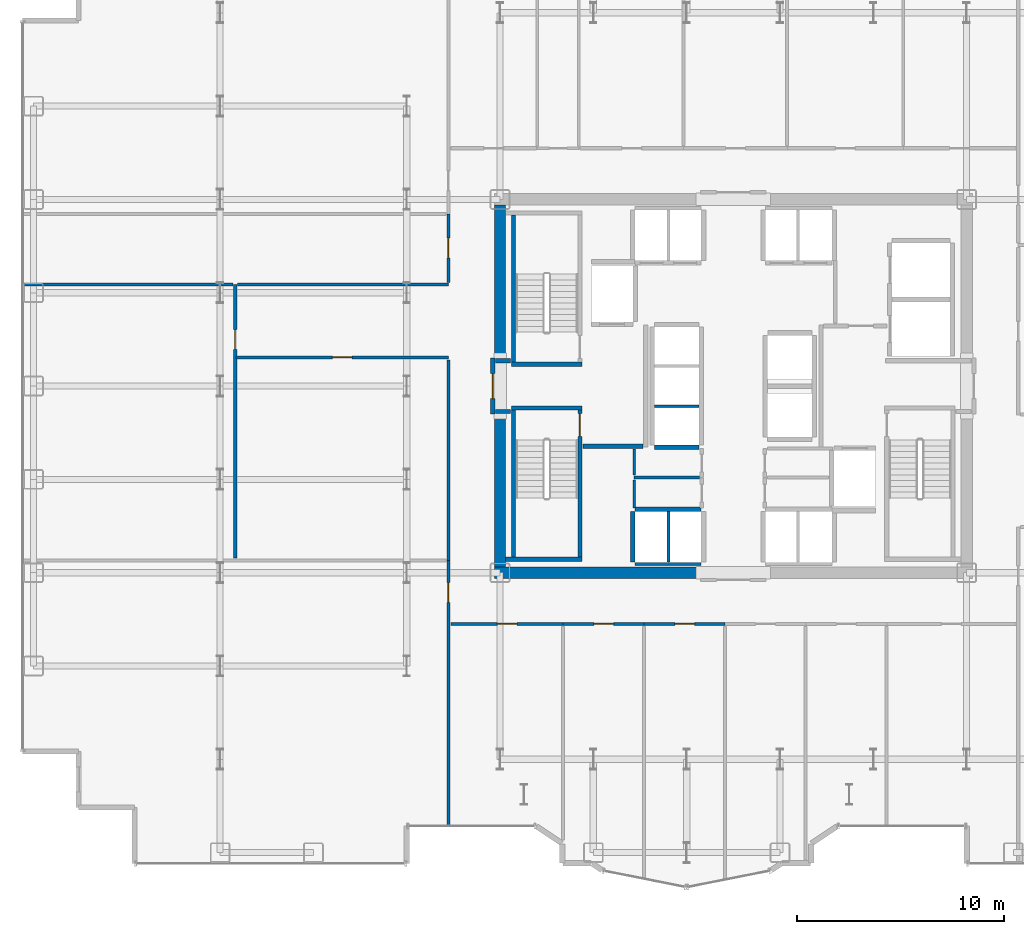
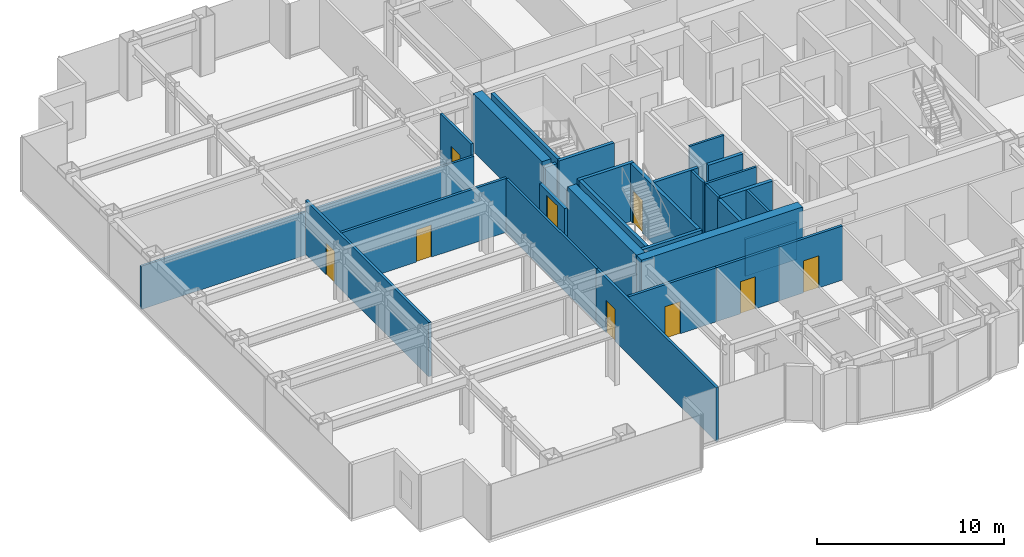
# One storey, part 20 of 26: 32 walls, 9 doors, 9 openings.
"""IFC4 building model written with IfcOpenShell, lengths in metres."""

from ifc_helpers import new_model, si_unit, direction, frame, frame_2d, origin, place, context, subcontext, project, spatial, rectangle, extrude, source, transform, mapped, material, layer, layer_set, type_object, element, fill, save


model = new_model("IFC4")

# Units and contexts
model_context = context("Model", 3, precision=1e-05, world=origin(), true_north=direction((0.0, 1.0)))
body_context = subcontext(model_context, "Body", "Model", "MODEL_VIEW")
ifc_project = project(units=[si_unit("LENGTHUNIT", "METRE"), si_unit("AREAUNIT", "SQUARE_METRE"), si_unit("VOLUMEUNIT", "CUBIC_METRE"), si_unit("PLANEANGLEUNIT", "RADIAN"), si_unit("MASSUNIT", "GRAM", prefix="KILO")], contexts=[model_context])

# Site, building, storey
site_placement = place(None, origin())
site = spatial("IfcSite", under=ifc_project, at=site_placement, CompositionType="ELEMENT")
building_placement = place(site_placement, origin())
building = spatial("IfcBuilding", under=site, at=building_placement, Name="Nefas-Gora Pilgrimage Tower", CompositionType="ELEMENT")
storey_placement = place(building_placement, frame((0.0, 0.0, 94.60009765625)))
storey = spatial("IfcBuildingStorey", under=building, at=storey_placement, Name="L22", CompositionType="ELEMENT", Elevation=94.60009765625)

# Walls
ifc_material_1 = material(Name="Concrete C60/75", Category="concrete")
ifc_layer_1 = layer(ifc_material_1, 0.550048828125)
ifc_layer_set_1 = layer_set([ifc_layer_1], Name="Concrete C60/75")
wall_type_1 = type_object("IfcWallType", Name="SW-CORE-550", PredefinedType="SHEAR", material=ifc_layer_set_1)
shared_shape_1 = source(origin(), body_context, "Body", "SweptSolid", [
    extrude(rectangle(XDim=9.974853515625, YDim=0.550048828125, at=frame_2d((4.9873046875, 0.0))), origin(), (0.0, 0.0, 1.0), 3.7998046875),
])
wall_1_placement = place(storey_placement, frame((-11.52490234375, -9.0, 0.0), z_axis=(0.0, 0.0, 1.0), x_axis=(1.0, 0.0, 0.0)))
element("IfcWall", 1, at=wall_1_placement, inside=storey, type_object=wall_type_1, Name="L22 Core Shear Wall S-West", PredefinedType="SHEAR", context=body_context, shape_type="MappedRepresentation", body=[
    mapped(shared_shape_1, transform((0.0, 0.0, 0.0), x_axis=(1.0, 0.0, 0.0), y_axis=(0.0, 1.0, 0.0), z_axis=(0.0, 0.0, 1.0), scale=1.0)),
])
shared_shape_2 = source(origin(), body_context, "Body", "SweptSolid", [
    extrude(rectangle(XDim=7.375, YDim=0.550048828125, at=frame_2d((3.6875, 0.0))), origin(), (0.0, 0.0, 1.0), 3.7998046875),
])
for number, where, z_axis, x_axis, name in (
    (2, (-11.25, -8.72509765625, 0.0), (0.0, 0.0, 1.0), (0.0, 1.0, 0.0), "L22 Core Shear Wall W-South"),
    (3, (-11.25, 1.35009765625, 0.0), (0.0, 0.0, 1.0), (0.0, 1.0, 0.0), "L22 Core Shear Wall W-North"),
):
    element("IfcWall", number, at=place(storey_placement, frame(where, z_axis=z_axis, x_axis=x_axis)), inside=storey, type_object=wall_type_1, Name=name, PredefinedType="SHEAR", context=body_context, shape_type="MappedRepresentation", body=[
        mapped(shared_shape_2, transform((0.0, 0.0, 0.0), x_axis=(1.0, 0.0, 0.0), y_axis=(0.0, 1.0, 0.0), z_axis=(0.0, 0.0, 1.0), scale=1.0)),
    ])
ifc_material_2 = material(Name="Concrete C45/55", Category="concrete")
ifc_layer_2 = layer(ifc_material_2, 0.199951171875)
ifc_layer_set_2 = layer_set([ifc_layer_2], Name="Concrete C45/55")
wall_type_2 = type_object("IfcWallType", Name="IW-STAIR-200", PredefinedType="SOLIDWALL", material=ifc_layer_set_2)
shared_shape_3 = source(origin(), body_context, "Body", "SweptSolid", [
    extrude(rectangle(XDim=3.39990234375, YDim=0.199951171875, at=frame_2d((1.699951171875, 0.0))), origin(), (0.0, 0.0, 1.0), 3.7998046875),
])
for number, where, z_axis, x_axis, name in (
    (4, (-7.300048828125, 1.050048828125, 0.0), (0.0, 0.0, 1.0), (-1.0, 0.0, 0.0), "L22 Stairwell Shear Wall ST-01-near"),
    (5, (-10.699951171875, -1.050048828125, 0.0), (0.0, 0.0, 1.0), (1.0, 0.0, 0.0), "L22 Stairwell Shear Wall ST-03-near"),
):
    element("IfcWall", number, at=place(storey_placement, frame(where, z_axis=z_axis, x_axis=x_axis)), inside=storey, type_object=wall_type_2, Name=name, PredefinedType="SOLIDWALL", context=body_context, shape_type="MappedRepresentation", body=[
        mapped(shared_shape_3, transform((0.0, 0.0, 0.0), x_axis=(1.0, 0.0, 0.0), y_axis=(0.0, 1.0, 0.0), z_axis=(0.0, 0.0, 1.0), scale=1.0)),
    ])
shared_shape_4 = source(origin(), body_context, "Body", "SweptSolid", [
    extrude(rectangle(XDim=7.10009765625, YDim=0.199951171875, at=frame_2d((3.550048828125, 0.0))), origin(), (0.0, 0.0, 1.0), 3.7998046875),
])
for number, where, z_axis, x_axis, name in (
    (6, (-10.60009765625, 1.14990234375, 0.0), (0.0, 0.0, 1.0), (0.0, 1.0, 0.0), "L22 Stairwell Shear Wall ST-01-right"),
    (7, (-10.60009765625, -1.14990234375, 0.0), (0.0, 0.0, 1.0), (0.0, -1.0, 0.0), "L22 Stairwell Shear Wall ST-03-left"),
):
    element("IfcWall", number, at=place(storey_placement, frame(where, z_axis=z_axis, x_axis=x_axis)), inside=storey, type_object=wall_type_2, Name=name, PredefinedType="SOLIDWALL", context=body_context, shape_type="MappedRepresentation", body=[
        mapped(shared_shape_4, transform((0.0, 0.0, 0.0), x_axis=(1.0, 0.0, 0.0), y_axis=(0.0, 1.0, 0.0), z_axis=(0.0, 0.0, 1.0), scale=1.0)),
    ])

# Wall, opening, door
wall_2_placement = place(storey_placement, frame((-7.39990234375, -1.14990234375, 0.0), z_axis=(0.0, 0.0, 1.0), x_axis=(0.0, -1.0, 0.0)))
wall_2 = element("IfcWall", 8, at=wall_2_placement, inside=storey, type_object=wall_type_2, Name="L22 Stairwell Shear Wall ST-03-right", PredefinedType="SOLIDWALL", context=body_context, shape_type="MappedRepresentation", body=[
    mapped(shared_shape_4, transform((0.0, 0.0, 0.0), x_axis=(1.0, 0.0, 0.0), y_axis=(0.0, 1.0, 0.0), z_axis=(0.0, 0.0, 1.0), scale=1.0)),
])
opening_1_placement = place(wall_2_placement, frame((0.179931640625, 0.0, 0.0)))
opening_1 = element("IfcOpeningElement", 9, at=opening_1_placement, cuts=wall_2, Name="Opening ID-ST1", PredefinedType="OPENING", context=body_context, shape_type="SweptSolid", body=[
    extrude(rectangle(XDim=1.10009765625, YDim=2.14990234375, at=frame_2d((0.550048828125, 1.074951171875))), frame((0.0, 0.10986328125, 0.0), z_axis=(0.0, -1.0, 0.0), x_axis=(1.0, 0.0, 0.0)), (0.0, 0.0, 1.0), 0.219970703125),
])
ifc_material_3 = material(Name="Painted galvanised steel fire stair door", Category="steel")
door_type_1 = type_object("IfcDoorType", Name="DR-INT-STAIR-1100", OperationType="NOTDEFINED", PredefinedType="DOOR", material=ifc_material_3)
shared_shape_5 = source(origin(), body_context, "Body", "SweptSolid", [
    extrude(rectangle(XDim=1.10009765625, YDim=2.14990234375, at=frame_2d((0.550048828125, 1.074951171875))), frame((0.0, 0.02490234375, 0.0), z_axis=(0.0, -1.0, 0.0), x_axis=(1.0, 0.0, 0.0)), (0.0, 0.0, 1.0), 0.050048828125),
])
door_1_placement = place(opening_1_placement, origin())
door_1 = element("IfcDoor", 10, at=door_1_placement, inside=storey, type_object=door_type_1, Name="L22 Protected Exit Stair Door ST-03", OperationType="SINGLE_SWING_RIGHT", OverallHeight=2.14990234375, OverallWidth=1.10009765625, PredefinedType="DOOR", context=body_context, shape_type="MappedRepresentation", body=[
    mapped(shared_shape_5, transform((0.0, 0.0, 0.0), x_axis=(1.0, 0.0, 0.0), y_axis=(0.0, 1.0, 0.0), z_axis=(0.0, 0.0, 1.0), scale=1.0)),
])
fill(opening_1, door_1)

# Walls
shared_shape_6 = source(origin(), body_context, "Body", "SweptSolid", [
    extrude(rectangle(XDim=3.679931640625, YDim=0.199951171875, at=frame_2d((1.83984375, 0.0))), origin(), (0.0, 0.0, 1.0), 3.7998046875),
])
wall_3_placement = place(storey_placement, frame((-10.97998046875, -8.35009765625, 0.0), z_axis=(0.0, 0.0, 1.0), x_axis=(1.0, 0.0, 0.0)))
element("IfcWall", 11, at=wall_3_placement, inside=storey, type_object=wall_type_2, Name="L22 Stairwell Shear Wall ST-03-far", PredefinedType="SOLIDWALL", context=body_context, shape_type="MappedRepresentation", body=[
    mapped(shared_shape_6, transform((0.0, 0.0, 0.0), x_axis=(1.0, 0.0, 0.0), y_axis=(0.0, 1.0, 0.0), z_axis=(0.0, 0.0, 1.0), scale=1.0)),
])
ifc_material_4 = material(Name="Concrete C40/50", Category="concrete")
ifc_layer_3 = layer(ifc_material_4, 0.219970703125)
ifc_layer_set_3 = layer_set([ifc_layer_3], Name="Concrete C40/50")
wall_type_3 = type_object("IfcWallType", Name="IW-SHAFT-220", PredefinedType="SOLIDWALL", material=ifc_layer_set_3)
shared_shape_7 = source(origin(), body_context, "Body", "SweptSolid", [
    extrude(rectangle(XDim=3.199951171875, YDim=0.219970703125, at=frame_2d((1.60009765625, 0.0))), origin(), (0.0, 0.0, 1.0), 3.534912109375),
])
wall_4_placement = place(storey_placement, frame((-1.550048828125, -5.93994140625, 0.0), z_axis=(0.0, 0.0, 1.0), x_axis=(-1.0, 0.0, 0.0)))
element("IfcWall", 12, at=wall_4_placement, inside=storey, type_object=wall_type_3, Name="L22 Hoistway Wall PL2-W-N", PredefinedType="SOLIDWALL", context=body_context, shape_type="MappedRepresentation", body=[
    mapped(shared_shape_7, transform((0.0, 0.0, 0.0), x_axis=(1.0, 0.0, 0.0), y_axis=(0.0, 1.0, 0.0), z_axis=(0.0, 0.0, 1.0), scale=1.0)),
])
shared_shape_8 = source(origin(), body_context, "Body", "SweptSolid", [
    extrude(rectangle(XDim=2.429931640625, YDim=0.219970703125, at=frame_2d((1.21484375, 0.0))), origin(), (0.0, 0.0, 1.0), 3.534912109375),
])
wall_5_placement = place(storey_placement, frame((-4.860107421875, -6.06005859375, 0.0), z_axis=(0.0, 0.0, 1.0), x_axis=(0.0, -1.0, 0.0)))
element("IfcWall", 13, at=wall_5_placement, inside=storey, type_object=wall_type_3, Name="L22 Hoistway Wall PL2-W-W", PredefinedType="SOLIDWALL", context=body_context, shape_type="MappedRepresentation", body=[
    mapped(shared_shape_8, transform((0.0, 0.0, 0.0), x_axis=(1.0, 0.0, 0.0), y_axis=(0.0, 1.0, 0.0), z_axis=(0.0, 0.0, 1.0), scale=1.0)),
])
ifc_material_5 = material(Name="Gypsum twin-stud partition")
ifc_layer_4 = layer(ifc_material_5, 0.139892578125)
ifc_layer_set_4 = layer_set([ifc_layer_4], Name="Gypsum twin-stud partition")
wall_type_4 = type_object("IfcWallType", Name="IW-UNIT-140", PredefinedType="PARTITIONING", material=ifc_layer_set_4)
shared_shape_9 = source(origin(), body_context, "Body", "SweptSolid", [
    extrude(rectangle(XDim=2.429931640625, YDim=0.139892578125, at=frame_2d((1.21484375, 0.0))), origin(), (0.0, 0.0, 1.0), 3.534912109375),
])
wall_6_placement = place(storey_placement, frame((-3.125, -8.489990234375, 0.0), z_axis=(0.0, 0.0, 1.0), x_axis=(0.0, 1.0, 0.0)))
element("IfcWall", 14, at=wall_6_placement, inside=storey, type_object=wall_type_4, Name="L22 Hoistway Wall PL2-W-DIV", PredefinedType="PARTITIONING", context=body_context, shape_type="MappedRepresentation", body=[
    mapped(shared_shape_9, transform((0.0, 0.0, 0.0), x_axis=(1.0, 0.0, 0.0), y_axis=(0.0, 1.0, 0.0), z_axis=(0.0, 0.0, 1.0), scale=1.0)),
])
shared_shape_10 = source(origin(), body_context, "Body", "SweptSolid", [
    extrude(rectangle(XDim=2.130126953125, YDim=0.219970703125, at=frame_2d((1.06494140625, 0.0))), origin(), (0.0, 0.0, 1.0), 3.534912109375),
])
wall_7_placement = place(storey_placement, frame((-3.7900390625, -2.9599609375, 0.0), z_axis=(0.0, 0.0, 1.0), x_axis=(1.0, 0.0, 0.0)))
element("IfcWall", 15, at=wall_7_placement, inside=storey, type_object=wall_type_3, Name="L22 Hoistway Wall PL3-01-S", PredefinedType="SOLIDWALL", context=body_context, shape_type="MappedRepresentation", body=[
    mapped(shared_shape_10, transform((0.0, 0.0, 0.0), x_axis=(1.0, 0.0, 0.0), y_axis=(0.0, 1.0, 0.0), z_axis=(0.0, 0.0, 1.0), scale=1.0)),
])
shared_shape_11 = source(origin(), body_context, "Body", "SweptSolid", [
    extrude(rectangle(XDim=2.130126953125, YDim=0.139892578125, at=frame_2d((1.06494140625, 0.0))), origin(), (0.0, 0.0, 1.0), 3.534912109375),
])
wall_8_placement = place(storey_placement, frame((-3.7900390625, -0.97509765625, 0.0), z_axis=(0.0, 0.0, 1.0), x_axis=(1.0, 0.0, 0.0)))
element("IfcWall", 16, at=wall_8_placement, inside=storey, type_object=wall_type_4, Name="L22 Hoistway Wall PL3-01-02-DIV", PredefinedType="PARTITIONING", context=body_context, shape_type="MappedRepresentation", body=[
    mapped(shared_shape_11, transform((0.0, 0.0, 0.0), x_axis=(1.0, 0.0, 0.0), y_axis=(0.0, 1.0, 0.0), z_axis=(0.0, 0.0, 1.0), scale=1.0)),
])
ifc_material_6 = material(Name="Gypsum acoustic stud partition")
ifc_layer_5 = layer(ifc_material_6, 0.159912109375)
ifc_layer_set_5 = layer_set([ifc_layer_5], Name="Gypsum acoustic stud partition")
wall_type_5 = type_object("IfcWallType", Name="IW-CORR-160", PredefinedType="PARTITIONING", material=ifc_layer_set_5)
shared_shape_12 = source(origin(), body_context, "Body", "SweptSolid", [
    extrude(rectangle(XDim=3.199951171875, YDim=0.159912109375, at=frame_2d((1.60009765625, 0.0))), origin(), (0.0, 0.0, 1.0), 2.4248046875),
])
wall_9_placement = place(storey_placement, frame((-4.75, -8.580078125, 0.0), z_axis=(0.0, 0.0, 1.0), x_axis=(1.0, 0.0, 0.0)))
element("IfcWall", 17, at=wall_9_placement, inside=storey, type_object=wall_type_5, Name="L22 Hoistway Wall PL2-W-S", PredefinedType="PARTITIONING", context=body_context, shape_type="MappedRepresentation", body=[
    mapped(shared_shape_12, transform((0.0, 0.0, 0.0), x_axis=(1.0, 0.0, 0.0), y_axis=(0.0, 1.0, 0.0), z_axis=(0.0, 0.0, 1.0), scale=1.0)),
])
ifc_material_7 = material(Name="Gypsum fire-rated shaftwall")
ifc_layer_6 = layer(ifc_material_7, 0.199951171875)
ifc_layer_set_6 = layer_set([ifc_layer_6], Name="Gypsum fire-rated shaftwall")
wall_type_6 = type_object("IfcWallType", Name="IW-FFLOB-200", PredefinedType="PARTITIONING", material=ifc_layer_set_6)
shared_shape_13 = source(origin(), body_context, "Body", "SweptSolid", [
    extrude(rectangle(XDim=2.89990234375, YDim=0.199951171875, at=frame_2d((1.449951171875, 0.0))), origin(), (0.0, 0.0, 1.0), 3.534912109375),
])
wall_10_placement = place(storey_placement, frame((-7.260009765625, -2.89990234375, 0.0), z_axis=(0.0, 0.0, 1.0), x_axis=(1.0, 0.0, 0.0)))
element("IfcWall", 18, at=wall_10_placement, inside=storey, type_object=wall_type_6, Name="L22 FF Lobby West South Wall Wall 5", PredefinedType="PARTITIONING", context=body_context, shape_type="MappedRepresentation", body=[
    mapped(shared_shape_13, transform((0.0, 0.0, 0.0), x_axis=(1.0, 0.0, 0.0), y_axis=(0.0, 1.0, 0.0), z_axis=(0.0, 0.0, 1.0), scale=1.0)),
])
shared_shape_14 = source(origin(), body_context, "Body", "SweptSolid", [
    extrude(rectangle(XDim=0.719970703125, YDim=0.199951171875, at=frame_2d((0.35986328125, 0.0))), origin(), (0.0, 0.0, 1.0), 3.534912109375),
])
for number, where, z_axis, x_axis, name in (
    (19, (-11.4599609375, 1.219970703125, 0.0), (0.0, 0.0, 1.0), (1.0, 0.0, 0.0), "L22 FF Lobby West Throat N Wall 6"),
    (20, (-11.4599609375, -1.219970703125, 0.0), (0.0, 0.0, 1.0), (1.0, 0.0, 0.0), "L22 FF Lobby West Throat S Wall 7"),
):
    element("IfcWall", number, at=place(storey_placement, frame(where, z_axis=z_axis, x_axis=x_axis)), inside=storey, type_object=wall_type_6, Name=name, PredefinedType="PARTITIONING", context=body_context, shape_type="MappedRepresentation", body=[
        mapped(shared_shape_14, transform((0.0, 0.0, 0.0), x_axis=(1.0, 0.0, 0.0), y_axis=(0.0, 1.0, 0.0), z_axis=(0.0, 0.0, 1.0), scale=1.0)),
    ])

# Wall, opening, door
shared_shape_15 = source(origin(), body_context, "Body", "SweptSolid", [
    extrude(rectangle(XDim=10.25, YDim=0.159912109375, at=frame_2d((5.125, 0.0))), origin(), (0.0, 0.0, 1.0), 3.534912109375),
])
wall_11_placement = place(storey_placement, frame((-23.97998046875, 1.3798828125, 0.0), z_axis=(0.0, 0.0, 1.0), x_axis=(1.0, 0.0, 0.0)))
wall_11 = element("IfcWall", 21, at=wall_11_placement, inside=storey, type_object=wall_type_5, Name="L22 Pilgrim Tea and Beverage Pantry Partition Wall 30", PredefinedType="PARTITIONING", context=body_context, shape_type="MappedRepresentation", body=[
    mapped(shared_shape_15, transform((0.0, 0.0, 0.0), x_axis=(1.0, 0.0, 0.0), y_axis=(0.0, 1.0, 0.0), z_axis=(0.0, 0.0, 1.0), scale=1.0)),
])
opening_2_placement = place(wall_11_placement, frame((4.64990234375, 0.0, 0.0)))
opening_2 = element("IfcOpeningElement", 22, at=opening_2_placement, cuts=wall_11, Name="Opening ID-GR1", PredefinedType="OPENING", context=body_context, shape_type="SweptSolid", body=[
    extrude(rectangle(XDim=0.949951171875, YDim=2.10009765625, at=frame_2d((0.47509765625, 1.050048828125))), frame((0.0, 0.08984375, 0.0), z_axis=(0.0, -1.0, 0.0), x_axis=(1.0, 0.0, 0.0)), (0.0, 0.0, 1.0), 0.179931640625),
])
ifc_material_8 = material(Name="Solid core oak fire-rated guest entrance door")
door_type_2 = type_object("IfcDoorType", Name="DR-INT-GUEST-950", OperationType="NOTDEFINED", PredefinedType="DOOR", material=ifc_material_8)
shared_shape_16 = source(origin(), body_context, "Body", "SweptSolid", [
    extrude(rectangle(XDim=0.949951171875, YDim=2.10009765625, at=frame_2d((0.47509765625, 1.050048828125))), frame((0.0, 0.02490234375, 0.0), z_axis=(0.0, -1.0, 0.0), x_axis=(1.0, 0.0, 0.0)), (0.0, 0.0, 1.0), 0.050048828125),
])
door_2_placement = place(opening_2_placement, origin())
door_2 = element("IfcDoor", 23, at=door_2_placement, inside=storey, type_object=door_type_2, Name="L22 Pilgrim Tea and Beverage Pantry Door 12", OperationType="SINGLE_SWING_RIGHT", OverallHeight=2.10009765625, OverallWidth=0.949951171875, PredefinedType="DOOR", context=body_context, shape_type="MappedRepresentation", body=[
    mapped(shared_shape_16, transform((0.0, 0.0, 0.0), x_axis=(1.0, 0.0, 0.0), y_axis=(0.0, 1.0, 0.0), z_axis=(0.0, 0.0, 1.0), scale=1.0)),
])
fill(opening_2, door_2)

# Wall
shared_shape_17 = source(origin(), body_context, "Body", "SweptSolid", [
    extrude(rectangle(XDim=10.169921875, YDim=0.139892578125, at=frame_2d((5.0849609375, 0.0))), origin(), (0.0, 0.0, 1.0), 2.824951171875),
])
wall_12_placement = place(storey_placement, frame((-23.89990234375, 4.89501953125, 0.0), z_axis=(0.0, 0.0, 1.0), x_axis=(1.0, 0.0, 0.0)))
element("IfcWall", 24, at=wall_12_placement, inside=storey, type_object=wall_type_4, Name="L22 Pilgrim Tea and Beverage Pantry Partition Wall 34", PredefinedType="PARTITIONING", context=body_context, shape_type="MappedRepresentation", body=[
    mapped(shared_shape_17, transform((0.0, 0.0, 0.0), x_axis=(1.0, 0.0, 0.0), y_axis=(0.0, 1.0, 0.0), z_axis=(0.0, 0.0, 1.0), scale=1.0)),
])

# Wall, opening, door
shared_shape_18 = source(origin(), body_context, "Body", "SweptSolid", [
    extrude(rectangle(XDim=5.425048828125, YDim=0.159912109375, at=frame_2d((2.71240234375, 0.0))), origin(), (0.0, 0.0, 1.0), 3.534912109375),
])
wall_13_placement = place(storey_placement, frame((-13.6201171875, -11.469970703125, 0.0), z_axis=(0.0, 0.0, 1.0), x_axis=(1.0, 0.0, 0.0)))
wall_13 = element("IfcWall", 25, at=wall_13_placement, inside=storey, type_object=wall_type_5, Name="L22 Pilgrim Contemplative Lounge Partition Wall 56", PredefinedType="PARTITIONING", context=body_context, shape_type="MappedRepresentation", body=[
    mapped(shared_shape_18, transform((0.0, 0.0, 0.0), x_axis=(1.0, 0.0, 0.0), y_axis=(0.0, 1.0, 0.0), z_axis=(0.0, 0.0, 1.0), scale=1.0)),
])
opening_3_placement = place(wall_13_placement, frame((2.237548828125, 0.0, 0.0)))
opening_3 = element("IfcOpeningElement", 26, at=opening_3_placement, cuts=wall_13, Name="Opening ID-GR1", PredefinedType="OPENING", context=body_context, shape_type="SweptSolid", body=[
    extrude(rectangle(XDim=0.949951171875, YDim=2.10009765625, at=frame_2d((0.47509765625, 1.050048828125))), frame((0.0, 0.08984375, 0.0), z_axis=(0.0, -1.0, 0.0), x_axis=(1.0, 0.0, 0.0)), (0.0, 0.0, 1.0), 0.179931640625),
])
door_3_placement = place(opening_3_placement, origin())
door_3 = element("IfcDoor", 27, at=door_3_placement, inside=storey, type_object=door_type_2, Name="L22 Pilgrim Contemplative Lounge Door 26", OperationType="SINGLE_SWING_RIGHT", OverallHeight=2.10009765625, OverallWidth=0.949951171875, PredefinedType="DOOR", context=body_context, shape_type="MappedRepresentation", body=[
    mapped(shared_shape_16, transform((0.0, 0.0, 0.0), x_axis=(1.0, 0.0, 0.0), y_axis=(0.0, 1.0, 0.0), z_axis=(0.0, 0.0, 1.0), scale=1.0)),
])
fill(opening_3, door_3)

# Wall
shared_shape_19 = source(origin(), body_context, "Body", "SweptSolid", [
    extrude(rectangle(XDim=10.150146484375, YDim=0.139892578125, at=frame_2d((5.0751953125, 0.0))), origin(), (0.0, 0.0, 1.0), 2.824951171875),
])
wall_14_placement = place(storey_placement, frame((-34.2900390625, 4.89501953125, 0.0), z_axis=(0.0, 0.0, 1.0), x_axis=(1.0, 0.0, 0.0)))
element("IfcWall", 28, at=wall_14_placement, inside=storey, type_object=wall_type_4, Name="L22 Pilgrim Tea and Beverage Pantry Partition Wall 33", PredefinedType="PARTITIONING", context=body_context, shape_type="MappedRepresentation", body=[
    mapped(shared_shape_19, transform((0.0, 0.0, 0.0), x_axis=(1.0, 0.0, 0.0), y_axis=(0.0, 1.0, 0.0), z_axis=(0.0, 0.0, 1.0), scale=1.0)),
])

# Wall, opening, door
shared_shape_20 = source(origin(), body_context, "Body", "SweptSolid", [
    extrude(rectangle(XDim=2.7001953125, YDim=0.199951171875, at=frame_2d((1.35009765625, 0.0))), origin(), (0.0, 0.0, 1.0), 2.4248046875),
])
wall_15_placement = place(storey_placement, frame((-11.60009765625, -1.35009765625, 0.0), z_axis=(0.0, 0.0, 1.0), x_axis=(0.0, 1.0, 0.0)))
wall_15 = element("IfcWall", 29, at=wall_15_placement, inside=storey, type_object=wall_type_6, Name="L22 FF Lobby West Portal Wall 3", PredefinedType="PARTITIONING", context=body_context, shape_type="MappedRepresentation", body=[
    mapped(shared_shape_20, transform((0.0, 0.0, 0.0), x_axis=(1.0, 0.0, 0.0), y_axis=(0.0, 1.0, 0.0), z_axis=(0.0, 0.0, 1.0), scale=1.0)),
])
opening_4_placement = place(wall_15_placement, frame((0.75, 0.0, 0.0)))
opening_4 = element("IfcOpeningElement", 30, at=opening_4_placement, cuts=wall_15, Name="Opening ID-FF1", PredefinedType="OPENING", context=body_context, shape_type="SweptSolid", body=[
    extrude(rectangle(XDim=1.199951171875, YDim=2.14990234375, at=frame_2d((0.60009765625, 1.074951171875))), frame((0.0, 0.10986328125, 0.0), z_axis=(0.0, -1.0, 0.0), x_axis=(1.0, 0.0, 0.0)), (0.0, 0.0, 1.0), 0.219970703125),
])
ifc_material_9 = material(Name="Smoke-sealed steel firefighting lobby door", Category="steel")
door_type_3 = type_object("IfcDoorType", Name="DR-INT-FFLOB-1200", OperationType="NOTDEFINED", PredefinedType="DOOR", material=ifc_material_9)
shared_shape_21 = source(origin(), body_context, "Body", "SweptSolid", [
    extrude(rectangle(XDim=1.199951171875, YDim=2.14990234375, at=frame_2d((0.60009765625, 1.074951171875))), frame((0.0, 0.02490234375, 0.0), z_axis=(0.0, -1.0, 0.0), x_axis=(1.0, 0.0, 0.0)), (0.0, 0.0, 1.0), 0.050048828125),
])
door_4_placement = place(opening_4_placement, origin())
door_4 = element("IfcDoor", 31, at=door_4_placement, inside=storey, type_object=door_type_3, Name="L22 FF Lobby West Portal Door 1", OperationType="SINGLE_SWING_LEFT", OverallHeight=2.14990234375, OverallWidth=1.199951171875, PredefinedType="DOOR", context=body_context, shape_type="MappedRepresentation", body=[
    mapped(shared_shape_21, transform((0.0, 0.0, 0.0), x_axis=(1.0, 0.0, 0.0), y_axis=(0.0, 1.0, 0.0), z_axis=(0.0, 0.0, 1.0), scale=1.0)),
])
fill(opening_4, door_4)

# Walls
shared_shape_22 = source(origin(), body_context, "Body", "SweptSolid", [
    extrude(rectangle(XDim=3.150146484375, YDim=0.139892578125, at=frame_2d((1.5751953125, 0.0))), origin(), (0.0, 0.0, 1.0), 3.534912109375),
])
wall_16_placement = place(storey_placement, frame((-4.7900390625, -4.409912109375, 0.0), z_axis=(0.0, 0.0, 1.0), x_axis=(1.0, 0.0, 0.0)))
element("IfcWall", 32, at=wall_16_placement, inside=storey, type_object=wall_type_4, Name="L22 Housekeeping and Linen Store Partition Wall 17", PredefinedType="PARTITIONING", context=body_context, shape_type="MappedRepresentation", body=[
    mapped(shared_shape_22, transform((0.0, 0.0, 0.0), x_axis=(1.0, 0.0, 0.0), y_axis=(0.0, 1.0, 0.0), z_axis=(0.0, 0.0, 1.0), scale=1.0)),
])
shared_shape_23 = source(origin(), body_context, "Body", "SweptSolid", [
    extrude(rectangle(XDim=1.260009765625, YDim=0.139892578125, at=frame_2d((0.6298828125, 0.0))), origin(), (0.0, 0.0, 1.0), 3.534912109375),
])
wall_17_placement = place(storey_placement, frame((-4.780029296875, -4.300048828125, 0.0), z_axis=(0.0, 0.0, 1.0), x_axis=(0.0, 1.0, 0.0)))
element("IfcWall", 33, at=wall_17_placement, inside=storey, type_object=wall_type_4, Name="L22 Housekeeping and Linen Store Partition Wall 18", PredefinedType="PARTITIONING", context=body_context, shape_type="MappedRepresentation", body=[
    mapped(shared_shape_23, transform((0.0, 0.0, 0.0), x_axis=(1.0, 0.0, 0.0), y_axis=(0.0, 1.0, 0.0), z_axis=(0.0, 0.0, 1.0), scale=1.0)),
])
shared_shape_24 = source(origin(), body_context, "Body", "SweptSolid", [
    extrude(rectangle(XDim=1.369873046875, YDim=0.139892578125, at=frame_2d((0.68505859375, 0.0))), origin(), (0.0, 0.0, 1.0), 3.534912109375),
])
wall_18_placement = place(storey_placement, frame((-4.780029296875, -5.889892578125, 0.0), z_axis=(0.0, 0.0, 1.0), x_axis=(0.0, 1.0, 0.0)))
element("IfcWall", 34, at=wall_18_placement, inside=storey, type_object=wall_type_4, Name="L22 Guest Self-Service Laundry Room Partition Wall 20", PredefinedType="PARTITIONING", context=body_context, shape_type="MappedRepresentation", body=[
    mapped(shared_shape_24, transform((0.0, 0.0, 0.0), x_axis=(1.0, 0.0, 0.0), y_axis=(0.0, 1.0, 0.0), z_axis=(0.0, 0.0, 1.0), scale=1.0)),
])

# Wall, opening, door
shared_shape_25 = source(origin(), body_context, "Body", "SweptSolid", [
    extrude(rectangle(XDim=12.844970703125, YDim=0.159912109375, at=frame_2d((6.42236328125, 0.0))), origin(), (0.0, 0.0, 1.0), 3.534912109375),
])
wall_19_placement = place(storey_placement, frame((-13.739990234375, -21.239990234375, 0.0), z_axis=(0.0, 0.0, 1.0), x_axis=(0.0, 1.0, 0.0)))
wall_19 = element("IfcWall", 35, at=wall_19_placement, inside=storey, type_object=wall_type_5, Name="L22 Pilgrim Tea and Beverage Pantry Partition Wall 28", PredefinedType="PARTITIONING", context=body_context, shape_type="MappedRepresentation", body=[
    mapped(shared_shape_25, transform((0.0, 0.0, 0.0), x_axis=(1.0, 0.0, 0.0), y_axis=(0.0, 1.0, 0.0), z_axis=(0.0, 0.0, 1.0), scale=1.0)),
])
opening_5_placement = place(wall_19_placement, frame((10.8125, 0.0, 0.0)))
opening_5 = element("IfcOpeningElement", 36, at=opening_5_placement, cuts=wall_19, Name="Opening ID-GR1", PredefinedType="OPENING", context=body_context, shape_type="SweptSolid", body=[
    extrude(rectangle(XDim=0.949951171875, YDim=2.10009765625, at=frame_2d((0.47509765625, 1.050048828125))), frame((0.0, 0.08984375, 0.0), z_axis=(0.0, -1.0, 0.0), x_axis=(1.0, 0.0, 0.0)), (0.0, 0.0, 1.0), 0.179931640625),
])
door_5_placement = place(opening_5_placement, origin())
door_5 = element("IfcDoor", 37, at=door_5_placement, inside=storey, type_object=door_type_2, Name="L22 Pilgrim Tea and Beverage Pantry Door 11", OperationType="SINGLE_SWING_LEFT", OverallHeight=2.10009765625, OverallWidth=0.949951171875, PredefinedType="DOOR", context=body_context, shape_type="MappedRepresentation", body=[
    mapped(shared_shape_16, transform((0.0, 0.0, 0.0), x_axis=(1.0, 0.0, 0.0), y_axis=(0.0, 1.0, 0.0), z_axis=(0.0, 0.0, 1.0), scale=1.0)),
])
fill(opening_5, door_5)

shared_shape_26 = source(origin(), body_context, "Body", "SweptSolid", [
    extrude(rectangle(XDim=3.905029296875, YDim=0.159912109375, at=frame_2d((1.95263671875, 0.0))), origin(), (0.0, 0.0, 1.0), 3.534912109375),
])
wall_20_placement = place(storey_placement, frame((-8.205078125, -11.469970703125, 0.0), z_axis=(0.0, 0.0, 1.0), x_axis=(1.0, 0.0, 0.0)))
wall_20 = element("IfcWall", 38, at=wall_20_placement, inside=storey, type_object=wall_type_5, Name="L22 Pilgrim Contemplative Lounge Partition Wall 58", PredefinedType="PARTITIONING", context=body_context, shape_type="MappedRepresentation", body=[
    mapped(shared_shape_26, transform((0.0, 0.0, 0.0), x_axis=(1.0, 0.0, 0.0), y_axis=(0.0, 1.0, 0.0), z_axis=(0.0, 0.0, 1.0), scale=1.0)),
])
opening_6_placement = place(wall_20_placement, frame((1.4775390625, 0.0, 0.0)))
opening_6 = element("IfcOpeningElement", 39, at=opening_6_placement, cuts=wall_20, Name="Opening ID-GR1", PredefinedType="OPENING", context=body_context, shape_type="SweptSolid", body=[
    extrude(rectangle(XDim=0.949951171875, YDim=2.10009765625, at=frame_2d((0.47509765625, 1.050048828125))), frame((0.0, 0.08984375, 0.0), z_axis=(0.0, -1.0, 0.0), x_axis=(1.0, 0.0, 0.0)), (0.0, 0.0, 1.0), 0.179931640625),
])
door_6_placement = place(opening_6_placement, origin())
door_6 = element("IfcDoor", 40, at=door_6_placement, inside=storey, type_object=door_type_2, Name="L22 Pilgrim Contemplative Lounge Door 27", OperationType="SINGLE_SWING_LEFT", OverallHeight=2.10009765625, OverallWidth=0.949951171875, PredefinedType="DOOR", context=body_context, shape_type="MappedRepresentation", body=[
    mapped(shared_shape_16, transform((0.0, 0.0, 0.0), x_axis=(1.0, 0.0, 0.0), y_axis=(0.0, 1.0, 0.0), z_axis=(0.0, 0.0, 1.0), scale=1.0)),
])
fill(opening_6, door_6)

wall_21_placement = place(storey_placement, frame((-4.300048828125, -11.469970703125, 0.0), z_axis=(0.0, 0.0, 1.0), x_axis=(1.0, 0.0, 0.0)))
wall_21 = element("IfcWall", 41, at=wall_21_placement, inside=storey, type_object=wall_type_5, Name="L22 Pilgrim Contemplative Lounge Partition Wall 60", PredefinedType="PARTITIONING", context=body_context, shape_type="MappedRepresentation", body=[
    mapped(shared_shape_26, transform((0.0, 0.0, 0.0), x_axis=(1.0, 0.0, 0.0), y_axis=(0.0, 1.0, 0.0), z_axis=(0.0, 0.0, 1.0), scale=1.0)),
])
opening_7_placement = place(wall_21_placement, frame((1.4775390625, 0.0, 0.0)))
opening_7 = element("IfcOpeningElement", 42, at=opening_7_placement, cuts=wall_21, Name="Opening ID-GR1", PredefinedType="OPENING", context=body_context, shape_type="SweptSolid", body=[
    extrude(rectangle(XDim=0.949951171875, YDim=2.10009765625, at=frame_2d((0.47509765625, 1.050048828125))), frame((0.0, 0.08984375, 0.0), z_axis=(0.0, -1.0, 0.0), x_axis=(1.0, 0.0, 0.0)), (0.0, 0.0, 1.0), 0.179931640625),
])
door_7_placement = place(opening_7_placement, origin())
door_7 = element("IfcDoor", 43, at=door_7_placement, inside=storey, type_object=door_type_2, Name="L22 Pilgrim Contemplative Lounge Door 28", OperationType="SINGLE_SWING_RIGHT", OverallHeight=2.10009765625, OverallWidth=0.949951171875, PredefinedType="DOOR", context=body_context, shape_type="MappedRepresentation", body=[
    mapped(shared_shape_16, transform((0.0, 0.0, 0.0), x_axis=(1.0, 0.0, 0.0), y_axis=(0.0, 1.0, 0.0), z_axis=(0.0, 0.0, 1.0), scale=1.0)),
])
fill(opening_7, door_7)

# Wall
shared_shape_27 = source(origin(), body_context, "Body", "SweptSolid", [
    extrude(rectangle(XDim=9.6650390625, YDim=0.139892578125, at=frame_2d((4.83251953125, 0.0))), origin(), (0.0, 0.0, 1.0), 3.534912109375),
])
wall_22_placement = place(storey_placement, frame((-13.739990234375, -8.405029296875, 0.0), z_axis=(0.0, 0.0, 1.0), x_axis=(0.0, 1.0, 0.0)))
element("IfcWall", 44, at=wall_22_placement, inside=storey, type_object=wall_type_4, Name="L22 Pilgrim Tea and Beverage Pantry Partition Wall 31", PredefinedType="PARTITIONING", context=body_context, shape_type="MappedRepresentation", body=[
    mapped(shared_shape_27, transform((0.0, 0.0, 0.0), x_axis=(1.0, 0.0, 0.0), y_axis=(0.0, 1.0, 0.0), z_axis=(0.0, 0.0, 1.0), scale=1.0)),
])

# Wall, opening, door
shared_shape_28 = source(origin(), body_context, "Body", "SweptSolid", [
    extrude(rectangle(XDim=13.199951171875, YDim=0.159912109375, at=frame_2d((6.60009765625, 0.0))), origin(), (0.0, 0.0, 1.0), 3.534912109375),
])
wall_23_placement = place(storey_placement, frame((-24.02001953125, -8.294921875, 0.0), z_axis=(0.0, 0.0, 1.0), x_axis=(0.0, 1.0, 0.0)))
wall_23 = element("IfcWall", 45, at=wall_23_placement, inside=storey, type_object=wall_type_5, Name="L22 Pilgrim Tea and Beverage Pantry Partition Wall 32", PredefinedType="PARTITIONING", context=body_context, shape_type="MappedRepresentation", body=[
    mapped(shared_shape_28, transform((0.0, 0.0, 0.0), x_axis=(1.0, 0.0, 0.0), y_axis=(0.0, 1.0, 0.0), z_axis=(0.0, 0.0, 1.0), scale=1.0)),
])
opening_8_placement = place(wall_23_placement, frame((10.070068359375, 0.0, 0.0)))
opening_8 = element("IfcOpeningElement", 46, at=opening_8_placement, cuts=wall_23, Name="Opening ID-GR1", PredefinedType="OPENING", context=body_context, shape_type="SweptSolid", body=[
    extrude(rectangle(XDim=0.949951171875, YDim=2.10009765625, at=frame_2d((0.47509765625, 1.050048828125))), frame((0.0, 0.08984375, 0.0), z_axis=(0.0, -1.0, 0.0), x_axis=(1.0, 0.0, 0.0)), (0.0, 0.0, 1.0), 0.179931640625),
])
door_8_placement = place(opening_8_placement, origin())
door_8 = element("IfcDoor", 47, at=door_8_placement, inside=storey, type_object=door_type_2, Name="L22 Pilgrim Tea and Beverage Pantry Door 13", OperationType="SINGLE_SWING_LEFT", OverallHeight=2.10009765625, OverallWidth=0.949951171875, PredefinedType="DOOR", context=body_context, shape_type="MappedRepresentation", body=[
    mapped(shared_shape_16, transform((0.0, 0.0, 0.0), x_axis=(1.0, 0.0, 0.0), y_axis=(0.0, 1.0, 0.0), z_axis=(0.0, 0.0, 1.0), scale=1.0)),
])
fill(opening_8, door_8)

shared_shape_29 = source(origin(), body_context, "Body", "SweptSolid", [
    extrude(rectangle(XDim=3.300048828125, YDim=0.159912109375, at=frame_2d((1.64990234375, 0.0))), origin(), (0.0, 0.0, 1.0), 3.534912109375),
])
wall_24_placement = place(storey_placement, frame((-13.739990234375, 5.0048828125, 0.0), z_axis=(0.0, 0.0, 1.0), x_axis=(0.0, 1.0, 0.0)))
wall_24 = element("IfcWall", 48, at=wall_24_placement, inside=storey, type_object=wall_type_5, Name="L22 Pilgrim Tea and Beverage Pantry Partition Wall 35", PredefinedType="PARTITIONING", context=body_context, shape_type="MappedRepresentation", body=[
    mapped(shared_shape_29, transform((0.0, 0.0, 0.0), x_axis=(1.0, 0.0, 0.0), y_axis=(0.0, 1.0, 0.0), z_axis=(0.0, 0.0, 1.0), scale=1.0)),
])
opening_9_placement = place(wall_24_placement, frame((1.175048828125, 0.0, 0.0)))
opening_9 = element("IfcOpeningElement", 49, at=opening_9_placement, cuts=wall_24, Name="Opening ID-GR1", PredefinedType="OPENING", context=body_context, shape_type="SweptSolid", body=[
    extrude(rectangle(XDim=0.949951171875, YDim=2.10009765625, at=frame_2d((0.47509765625, 1.050048828125))), frame((0.0, 0.08984375, 0.0), z_axis=(0.0, -1.0, 0.0), x_axis=(1.0, 0.0, 0.0)), (0.0, 0.0, 1.0), 0.179931640625),
])
door_9_placement = place(opening_9_placement, origin())
door_9 = element("IfcDoor", 50, at=door_9_placement, inside=storey, type_object=door_type_2, Name="L22 Pilgrim Tea and Beverage Pantry Door 14", OperationType="SINGLE_SWING_RIGHT", OverallHeight=2.10009765625, OverallWidth=0.949951171875, PredefinedType="DOOR", context=body_context, shape_type="MappedRepresentation", body=[
    mapped(shared_shape_16, transform((0.0, 0.0, 0.0), x_axis=(1.0, 0.0, 0.0), y_axis=(0.0, 1.0, 0.0), z_axis=(0.0, 0.0, 1.0), scale=1.0)),
])
fill(opening_9, door_9)

save(model, "model.ifc")
